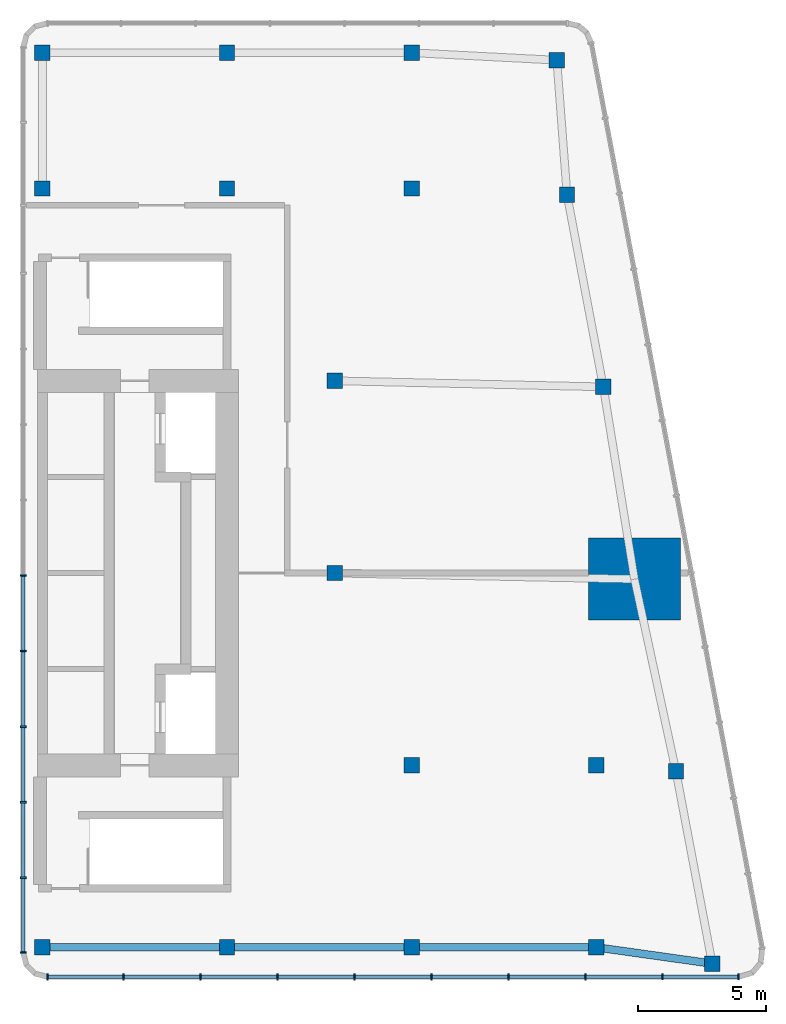
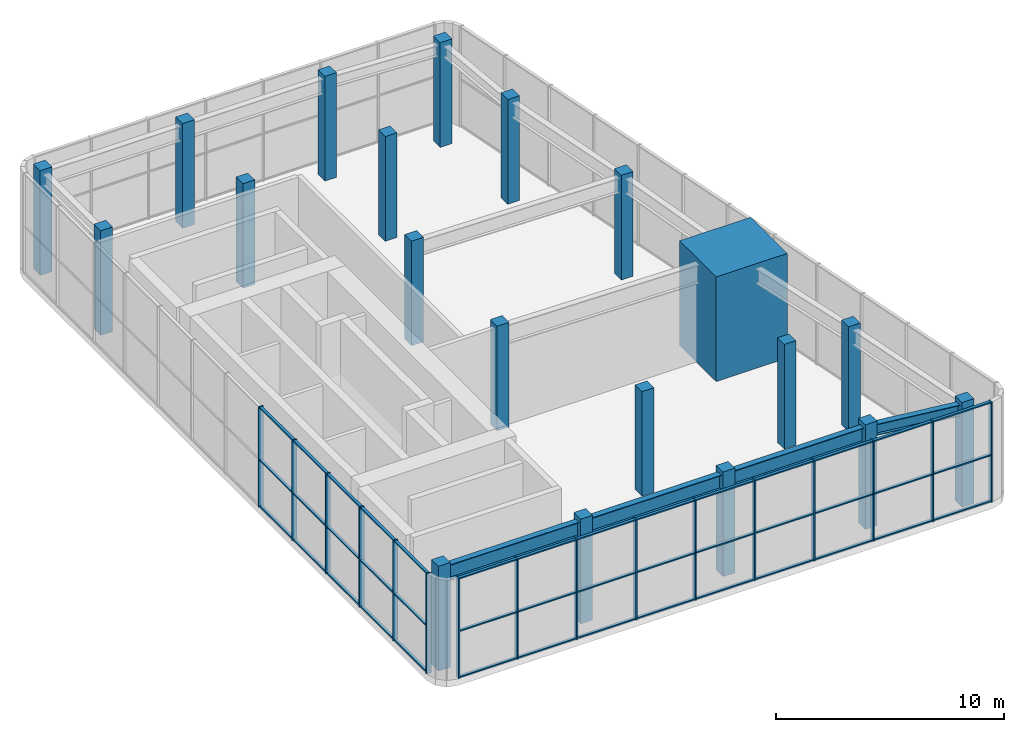
# One storey, part 1 of 6: 58 members, 20 columns, 4 beams, 2 elements without a shape of their own.
"""IFC4 building model written with IfcOpenShell, lengths in metres."""

from ifc_helpers import new_model, si_unit, direction, frame, origin, origin_2d, place, context, subcontext, project, spatial, rectangle, i_section, extrude, material, material_profile, profile_set, type_object, element, aggregate, save


model = new_model("IFC4")

# Units and contexts
model_context = context("Model", 3, precision=1e-05, world=origin(), true_north=direction((0.0, 1.0)))
body_context = subcontext(model_context, "Body", "Model", "MODEL_VIEW")
ifc_project = project(units=[si_unit("LENGTHUNIT", "METRE"), si_unit("AREAUNIT", "SQUARE_METRE"), si_unit("VOLUMEUNIT", "CUBIC_METRE"), si_unit("PLANEANGLEUNIT", "RADIAN"), si_unit("MASSUNIT", "GRAM", prefix="KILO")], contexts=[model_context])

# Site, building, storey
site_placement = place(None, origin())
site = spatial("IfcSite", under=ifc_project, at=site_placement, CompositionType="ELEMENT")
building_placement = place(site_placement, origin())
building = spatial("IfcBuilding", under=site, at=building_placement, Name="Sheger Commons Tower", CompositionType="ELEMENT")
storey_placement = place(building_placement, frame((0.0, 0.0, 301.60009765625)))
storey = spatial("IfcBuildingStorey", under=building, at=storey_placement, Name="L77", CompositionType="ELEMENT", Elevation=301.60009765625)

# Columns
ifc_material_1 = material(Name="Concrete C50/60", Category="concrete")
ifc_material_profile_1 = material_profile(ifc_material_1, rectangle(XDim=3.60009765625, YDim=3.199951171875, at=origin_2d()), Name="RC 3600x3200")
ifc_profile_set_1 = profile_set([ifc_material_profile_1], Name="Concrete C50/60")
column_type_1 = type_object("IfcColumnType", Name="COLUMN PIER RC 3600x3200", PredefinedType="COLUMN", material=ifc_profile_set_1)
column_placement = place(storey_placement, frame((44.697021484375, 22.262939453125, 0.0), z_axis=(0.0, 0.0, 1.0), x_axis=(1.0, 0.0, 0.0)))
element("IfcColumn", 1, at=column_placement, inside=storey, type_object=column_type_1, Name="Pier 7/D+E/D L77", PredefinedType="COLUMN", context=body_context, shape_type="SweptSolid", body=[
    extrude(rectangle(XDim=3.60009765625, YDim=3.199951171875, at=origin_2d()), origin(), (0.0, 0.0, 1.0), 5.599853515625),
])
ifc_material_2 = material(Name="Concrete C50/60", Category="concrete")
ifc_material_profile_2 = material_profile(ifc_material_2, rectangle(XDim=0.60009765625, YDim=0.60009765625, at=origin_2d()), Name="RC 600x600")
ifc_profile_set_2 = profile_set([ifc_material_profile_2], Name="Concrete C50/60")
column_type_2 = type_object("IfcColumnType", Name="COLUMN RC 600x600", PredefinedType="COLUMN", material=ifc_profile_set_2)
for number, where, z_axis, x_axis, name in (
    (2, (21.60009765625, 7.89990234375, 0.0), (0.0, 0.0, 1.0), (1.0, 0.0, 0.0), "Column 4/B L77"),
    (3, (28.800048828125, 7.89990234375, 0.0), (0.0, 0.0, 1.0), (1.0, 0.0, 0.0), "Column 5/B L77"),
    (4, (36.0, 7.89990234375, 0.0), (0.0, 0.0, 1.0), (1.0, 0.0, 0.0), "Column 6/B L77"),
    (5, (43.199951171875, 7.89990234375, 0.0), (0.0, 0.0, 1.0), (1.0, 0.0, 0.0), "Column 7/B L77"),
    (6, (47.72998046875, 7.262939453125, 0.0), (0.0, 0.0, 1.0), (1.0, 0.0, 0.0), "Column E/B L77"),
    (7, (36.0, 15.0, 0.0), (0.0, 0.0, 1.0), (1.0, 0.0, 0.0), "Column 6/C L77"),
    (8, (43.199951171875, 15.0, 0.0), (0.0, 0.0, 1.0), (1.0, 0.0, 0.0), "Column 7/C L77"),
    (9, (46.31396484375, 14.762939453125, 0.0), (0.0, 0.0, 1.0), (1.0, 0.0, 0.0), "Column E/C L77"),
    (10, (33.0, 22.5, 0.0), (0.0, 0.0, 1.0), (1.0, 0.0, 0.0), "Column 6-3000/D L77"),
    (11, (33.0, 30.0, 0.0), (0.0, 0.0, 1.0), (1.0, 0.0, 0.0), "Column 6-3000/E L77"),
    (12, (43.47998046875, 29.762939453125, 0.0), (0.0, 0.0, 1.0), (1.0, 0.0, 0.0), "Column E/E L77"),
    (13, (21.60009765625, 37.5, 0.0), (0.0, 0.0, 1.0), (1.0, 0.0, 0.0), "Column 4/F L77"),
    (14, (28.800048828125, 37.5, 0.0), (0.0, 0.0, 1.0), (1.0, 0.0, 0.0), "Column 5/F L77"),
    (15, (36.0, 37.5, 0.0), (0.0, 0.0, 1.0), (1.0, 0.0, 0.0), "Column 6/F L77"),
    (16, (42.06396484375, 37.262939453125, 0.0), (0.0, 0.0, 1.0), (1.0, 0.0, 0.0), "Column E/F L77"),
    (17, (21.60009765625, 42.800048828125, 0.0), (0.0, 0.0, 1.0), (1.0, 0.0, 0.0), "Column 4/G-1.8 L77"),
    (18, (28.800048828125, 42.800048828125, 0.0), (0.0, 0.0, 1.0), (1.0, 0.0, 0.0), "Column 5/G-1.8 L77"),
    (19, (36.0, 42.800048828125, 0.0), (0.0, 0.0, 1.0), (1.0, 0.0, 0.0), "Column 6/G-1.8 L77"),
    (20, (41.6669921875, 42.506103515625, 0.0), (0.0, 0.0, 1.0), (1.0, 0.0, 0.0), "Column E/G-1.8 L77"),
):
    element("IfcColumn", number, at=place(storey_placement, frame(where, z_axis=z_axis, x_axis=x_axis)), inside=storey, type_object=column_type_2, Name=name, PredefinedType="COLUMN", context=body_context, shape_type="SweptSolid", body=[
        extrude(rectangle(XDim=0.60009765625, YDim=0.60009765625, at=origin_2d()), origin(), (0.0, 0.0, 1.0), 5.599853515625),
    ])

# Curtain wall, members
ifc_material_3 = material(Name="Black aluminium curtain wall, dark tinted glazing", Category="aluminium")
curtain_wall_type = type_object("IfcCurtainWallType", Name="CURTAIN WALL CW6 LANTERN", PredefinedType="USERDEFINED", material=ifc_material_3)
curtain_wall_1_placement = place(storey_placement, origin())
curtain_wall_1 = element("IfcCurtainWall", 21, at=curtain_wall_1_placement, inside=storey, type_object=curtain_wall_type, Name="Curtain Wall Cw6 Lantern S1 L77", ObjectType="UNITISED CURTAIN WALL", PredefinedType="USERDEFINED")
ifc_material_4 = material(Name="Black anodised aluminium", Category="aluminium")
ifc_material_profile_3 = material_profile(ifc_material_4, rectangle(XDim=0.25, YDim=0.06494140625, at=origin_2d()), Name="AL 65x250")
ifc_profile_set_3 = profile_set([ifc_material_profile_3], Name="Black anodised aluminium")
member_type_1 = type_object("IfcMemberType", Name="MULLION AL 65x250", PredefinedType="MULLION", material=ifc_profile_set_3)
member_1_placement = place(storey_placement, frame((21.79541015625, 6.75, 0.0), z_axis=(0.0, 0.0, 1.0), x_axis=(0.0, 1.0, 0.0)))
member_1 = element("IfcMember", 22, at=member_1_placement, type_object=member_type_1, Name="CW6 mullion 1", PredefinedType="MULLION", context=body_context, shape_type="SweptSolid", body=[
    extrude(rectangle(XDim=0.25, YDim=0.06494140625, at=origin_2d()), origin(), (0.0, 0.0, 1.0), 5.349853515625),
])
member_2_placement = place(storey_placement, frame((24.765625, 6.75, 0.0), z_axis=(0.0, 0.0, 1.0), x_axis=(0.0, 1.0, 0.0)))
member_2 = element("IfcMember", 23, at=member_2_placement, type_object=member_type_1, Name="CW6 mullion 2", PredefinedType="MULLION", context=body_context, shape_type="SweptSolid", body=[
    extrude(rectangle(XDim=0.25, YDim=0.06494140625, at=origin_2d()), origin(), (0.0, 0.0, 1.0), 5.349853515625),
])
member_3_placement = place(storey_placement, frame((27.768310546875, 6.75, 0.0), z_axis=(0.0, 0.0, 1.0), x_axis=(0.0, 1.0, 0.0)))
member_3 = element("IfcMember", 24, at=member_3_placement, type_object=member_type_1, Name="CW6 mullion 3", PredefinedType="MULLION", context=body_context, shape_type="SweptSolid", body=[
    extrude(rectangle(XDim=0.25, YDim=0.06494140625, at=origin_2d()), origin(), (0.0, 0.0, 1.0), 5.349853515625),
])
member_4_placement = place(storey_placement, frame((30.77099609375, 6.75, 0.0), z_axis=(0.0, 0.0, 1.0), x_axis=(0.0, 1.0, 0.0)))
member_4 = element("IfcMember", 25, at=member_4_placement, type_object=member_type_1, Name="CW6 mullion 4", PredefinedType="MULLION", context=body_context, shape_type="SweptSolid", body=[
    extrude(rectangle(XDim=0.25, YDim=0.06494140625, at=origin_2d()), origin(), (0.0, 0.0, 1.0), 5.349853515625),
])
member_5_placement = place(storey_placement, frame((33.773681640625, 6.75, 0.0), z_axis=(0.0, 0.0, 1.0), x_axis=(0.0, 1.0, 0.0)))
member_5 = element("IfcMember", 26, at=member_5_placement, type_object=member_type_1, Name="CW6 mullion 5", PredefinedType="MULLION", context=body_context, shape_type="SweptSolid", body=[
    extrude(rectangle(XDim=0.25, YDim=0.06494140625, at=origin_2d()), origin(), (0.0, 0.0, 1.0), 5.349853515625),
])
member_6_placement = place(storey_placement, frame((36.7763671875, 6.75, 0.0), z_axis=(0.0, 0.0, 1.0), x_axis=(0.0, 1.0, 0.0)))
member_6 = element("IfcMember", 27, at=member_6_placement, type_object=member_type_1, Name="CW6 mullion 6", PredefinedType="MULLION", context=body_context, shape_type="SweptSolid", body=[
    extrude(rectangle(XDim=0.25, YDim=0.06494140625, at=origin_2d()), origin(), (0.0, 0.0, 1.0), 5.349853515625),
])
member_7_placement = place(storey_placement, frame((39.779052734375, 6.75, 0.0), z_axis=(0.0, 0.0, 1.0), x_axis=(0.0, 1.0, 0.0)))
member_7 = element("IfcMember", 28, at=member_7_placement, type_object=member_type_1, Name="CW6 mullion 7", PredefinedType="MULLION", context=body_context, shape_type="SweptSolid", body=[
    extrude(rectangle(XDim=0.25, YDim=0.06494140625, at=origin_2d()), origin(), (0.0, 0.0, 1.0), 5.349853515625),
])
member_8_placement = place(storey_placement, frame((42.78173828125, 6.75, 0.0), z_axis=(0.0, 0.0, 1.0), x_axis=(0.0, 1.0, 0.0)))
member_8 = element("IfcMember", 29, at=member_8_placement, type_object=member_type_1, Name="CW6 mullion 8", PredefinedType="MULLION", context=body_context, shape_type="SweptSolid", body=[
    extrude(rectangle(XDim=0.25, YDim=0.06494140625, at=origin_2d()), origin(), (0.0, 0.0, 1.0), 5.349853515625),
])
member_9_placement = place(storey_placement, frame((45.784423828125, 6.75, 0.0), z_axis=(0.0, 0.0, 1.0), x_axis=(0.0, 1.0, 0.0)))
member_9 = element("IfcMember", 30, at=member_9_placement, type_object=member_type_1, Name="CW6 mullion 9", PredefinedType="MULLION", context=body_context, shape_type="SweptSolid", body=[
    extrude(rectangle(XDim=0.25, YDim=0.06494140625, at=origin_2d()), origin(), (0.0, 0.0, 1.0), 5.349853515625),
])
member_10_placement = place(storey_placement, frame((48.75439453125, 6.75, 0.0), z_axis=(0.0, 0.0, 1.0), x_axis=(0.0, 1.0, 0.0)))
member_10 = element("IfcMember", 31, at=member_10_placement, type_object=member_type_1, Name="CW6 mullion 10", PredefinedType="MULLION", context=body_context, shape_type="SweptSolid", body=[
    extrude(rectangle(XDim=0.25, YDim=0.06494140625, at=origin_2d()), origin(), (0.0, 0.0, 1.0), 5.349853515625),
])

curtain_wall_2_placement = place(storey_placement, origin())
curtain_wall_2 = element("IfcCurtainWall", 32, at=curtain_wall_2_placement, inside=storey, type_object=curtain_wall_type, Name="Curtain Wall Cw6 Lantern W1 L77", ObjectType="UNITISED CURTAIN WALL", PredefinedType="USERDEFINED")
member_11_placement = place(storey_placement, frame((20.85009765625, 22.402099609375, 0.0), z_axis=(0.0, 0.0, 1.0), x_axis=(1.0, 0.0, 0.0)))
member_11 = element("IfcMember", 33, at=member_11_placement, type_object=member_type_1, Name="CW6 mullion 8", PredefinedType="MULLION", context=body_context, shape_type="SweptSolid", body=[
    extrude(rectangle(XDim=0.25, YDim=0.06494140625, at=origin_2d()), origin(), (0.0, 0.0, 1.0), 5.349853515625),
])
member_12_placement = place(storey_placement, frame((20.85009765625, 19.4541015625, 0.0), z_axis=(0.0, 0.0, 1.0), x_axis=(1.0, 0.0, 0.0)))
member_12 = element("IfcMember", 34, at=member_12_placement, type_object=member_type_1, Name="CW6 mullion 9", PredefinedType="MULLION", context=body_context, shape_type="SweptSolid", body=[
    extrude(rectangle(XDim=0.25, YDim=0.06494140625, at=origin_2d()), origin(), (0.0, 0.0, 1.0), 5.349853515625),
])
member_13_placement = place(storey_placement, frame((20.85009765625, 16.507080078125, 0.0), z_axis=(0.0, 0.0, 1.0), x_axis=(1.0, 0.0, 0.0)))
member_13 = element("IfcMember", 35, at=member_13_placement, type_object=member_type_1, Name="CW6 mullion 10", PredefinedType="MULLION", context=body_context, shape_type="SweptSolid", body=[
    extrude(rectangle(XDim=0.25, YDim=0.06494140625, at=origin_2d()), origin(), (0.0, 0.0, 1.0), 5.349853515625),
])
member_14_placement = place(storey_placement, frame((20.85009765625, 13.55908203125, 0.0), z_axis=(0.0, 0.0, 1.0), x_axis=(1.0, 0.0, 0.0)))
member_14 = element("IfcMember", 36, at=member_14_placement, type_object=member_type_1, Name="CW6 mullion 11", PredefinedType="MULLION", context=body_context, shape_type="SweptSolid", body=[
    extrude(rectangle(XDim=0.25, YDim=0.06494140625, at=origin_2d()), origin(), (0.0, 0.0, 1.0), 5.349853515625),
])
member_15_placement = place(storey_placement, frame((20.85009765625, 10.611083984375, 0.0), z_axis=(0.0, 0.0, 1.0), x_axis=(1.0, 0.0, 0.0)))
member_15 = element("IfcMember", 37, at=member_15_placement, type_object=member_type_1, Name="CW6 mullion 12", PredefinedType="MULLION", context=body_context, shape_type="SweptSolid", body=[
    extrude(rectangle(XDim=0.25, YDim=0.06494140625, at=origin_2d()), origin(), (0.0, 0.0, 1.0), 5.349853515625),
])
member_16_placement = place(storey_placement, frame((20.85009765625, 7.695556640625, 0.0), z_axis=(0.0, 0.0, 1.0), x_axis=(1.0, 0.0, 0.0)))
member_16 = element("IfcMember", 38, at=member_16_placement, type_object=member_type_1, Name="CW6 mullion 13", PredefinedType="MULLION", context=body_context, shape_type="SweptSolid", body=[
    extrude(rectangle(XDim=0.25, YDim=0.06494140625, at=origin_2d()), origin(), (0.0, 0.0, 1.0), 5.349853515625),
])

# Beams
ifc_material_5 = material(Name="Steel S460", Category="steel")
ifc_material_profile_4 = material_profile(ifc_material_5, i_section(OverallWidth=0.300048828125, OverallDepth=0.60009765625, WebThickness=0.015380859375, FlangeThickness=0.030029296875, at=origin_2d()), Name="HE 600 B")
ifc_profile_set_4 = profile_set([ifc_material_profile_4], Name="Steel S460")
beam_type_1 = type_object("IfcBeamType", Name="STEEL BEAM HE 600 B", PredefinedType="BEAM", material=ifc_profile_set_4)
beam_placement = place(storey_placement, frame((43.199951171875, 7.89990234375, 5.0498046875), z_axis=(0.990258763555, -0.139239294752, 0.0), x_axis=(0.139239294752, 0.990258763555, 0.0)))
element("IfcBeam", 39, at=beam_placement, inside=storey, type_object=beam_type_1, Name="Beam 7/B-E/B under ROOF", PredefinedType="BEAM", context=body_context, shape_type="SweptSolid", body=[
    extrude(i_section(OverallWidth=0.300048828125, OverallDepth=0.60009765625, WebThickness=0.015380859375, FlangeThickness=0.030029296875, at=origin_2d()), origin(), (0.0, 0.0, 1.0), 4.57470703125),
])
ifc_material_6 = material(Name="Steel S460", Category="steel")
ifc_material_profile_5 = material_profile(ifc_material_6, i_section(OverallWidth=0.300048828125, OverallDepth=0.800048828125, WebThickness=0.017578125, FlangeThickness=0.032958984375, at=origin_2d()), Name="HE 800 B")
ifc_profile_set_5 = profile_set([ifc_material_profile_5], Name="Steel S460")
beam_type_2 = type_object("IfcBeamType", Name="STEEL BEAM HE 800 B", PredefinedType="BEAM", material=ifc_profile_set_5)
for number, where, z_axis, x_axis, name in (
    (40, (21.60009765625, 7.89990234375, 4.949951171875), (1.0, 0.0, 0.0), (0.0, 1.0, 0.0), "Beam 4/B-5/B under ROOF"),
    (41, (28.800048828125, 7.89990234375, 4.949951171875), (1.0, 0.0, 0.0), (0.0, 1.0, 0.0), "Beam 5/B-6/B under ROOF"),
    (42, (36.0, 7.89990234375, 4.949951171875), (1.0, 0.0, 0.0), (0.0, 1.0, 0.0), "Beam 6/B-7/B under ROOF"),
):
    element("IfcBeam", number, at=place(storey_placement, frame(where, z_axis=z_axis, x_axis=x_axis)), inside=storey, type_object=beam_type_2, Name=name, PredefinedType="BEAM", context=body_context, shape_type="SweptSolid", body=[
        extrude(i_section(OverallWidth=0.300048828125, OverallDepth=0.800048828125, WebThickness=0.017578125, FlangeThickness=0.032958984375, at=origin_2d()), origin(), (0.0, 0.0, 1.0), 7.199951171875),
    ])

# Member
ifc_material_7 = material(Name="Black anodised aluminium", Category="aluminium")
ifc_material_profile_6 = material_profile(ifc_material_7, rectangle(XDim=0.14990234375, YDim=0.06494140625, at=origin_2d()), Name="AL 65x150")
ifc_profile_set_6 = profile_set([ifc_material_profile_6], Name="Black anodised aluminium")
member_type_2 = type_object("IfcMemberType", Name="TRANSOM AL 65x150", PredefinedType="USERDEFINED", material=ifc_profile_set_6)
member_17_placement = place(storey_placement, frame((21.827880859375, 6.75, 0.032470703125), z_axis=(1.0, 0.0, 0.0), x_axis=(0.0, 1.0, 0.0)))
member_17 = element("IfcMember", 43, at=member_17_placement, type_object=member_type_2, Name="CW6 transom 1.1", ObjectType="TRANSOM", PredefinedType="USERDEFINED", context=body_context, shape_type="SweptSolid", body=[
    extrude(rectangle(XDim=0.14990234375, YDim=0.06494140625, at=origin_2d()), origin(), (0.0, 0.0, 1.0), 2.9052734375),
])

member_18_placement = place(storey_placement, frame((21.827880859375, 6.75, 2.5), z_axis=(1.0, 0.0, 0.0), x_axis=(0.0, 1.0, 0.0)))
member_18 = element("IfcMember", 44, at=member_18_placement, type_object=member_type_2, Name="CW6 transom 1.2", ObjectType="TRANSOM", PredefinedType="USERDEFINED", context=body_context, shape_type="SweptSolid", body=[
    extrude(rectangle(XDim=0.14990234375, YDim=0.06494140625, at=origin_2d()), origin(), (0.0, 0.0, 1.0), 2.9052734375),
])

member_19_placement = place(storey_placement, frame((21.827880859375, 6.75, 5.3173828125), z_axis=(1.0, 0.0, 0.0), x_axis=(0.0, 1.0, 0.0)))
member_19 = element("IfcMember", 45, at=member_19_placement, type_object=member_type_2, Name="CW6 transom 1.3", ObjectType="TRANSOM", PredefinedType="USERDEFINED", context=body_context, shape_type="SweptSolid", body=[
    extrude(rectangle(XDim=0.14990234375, YDim=0.06494140625, at=origin_2d()), origin(), (0.0, 0.0, 1.0), 2.9052734375),
])

member_20_placement = place(storey_placement, frame((24.798095703125, 6.75, 0.032470703125), z_axis=(1.0, 0.0, 0.0), x_axis=(0.0, 1.0, 0.0)))
member_20 = element("IfcMember", 46, at=member_20_placement, type_object=member_type_2, Name="CW6 transom 2.1", ObjectType="TRANSOM", PredefinedType="USERDEFINED", context=body_context, shape_type="SweptSolid", body=[
    extrude(rectangle(XDim=0.14990234375, YDim=0.06494140625, at=origin_2d()), origin(), (0.0, 0.0, 1.0), 2.937744140625),
])

member_21_placement = place(storey_placement, frame((24.798095703125, 6.75, 2.5), z_axis=(1.0, 0.0, 0.0), x_axis=(0.0, 1.0, 0.0)))
member_21 = element("IfcMember", 47, at=member_21_placement, type_object=member_type_2, Name="CW6 transom 2.2", ObjectType="TRANSOM", PredefinedType="USERDEFINED", context=body_context, shape_type="SweptSolid", body=[
    extrude(rectangle(XDim=0.14990234375, YDim=0.06494140625, at=origin_2d()), origin(), (0.0, 0.0, 1.0), 2.937744140625),
])

member_22_placement = place(storey_placement, frame((24.798095703125, 6.75, 5.3173828125), z_axis=(1.0, 0.0, 0.0), x_axis=(0.0, 1.0, 0.0)))
member_22 = element("IfcMember", 48, at=member_22_placement, type_object=member_type_2, Name="CW6 transom 2.3", ObjectType="TRANSOM", PredefinedType="USERDEFINED", context=body_context, shape_type="SweptSolid", body=[
    extrude(rectangle(XDim=0.14990234375, YDim=0.06494140625, at=origin_2d()), origin(), (0.0, 0.0, 1.0), 2.937744140625),
])

member_23_placement = place(storey_placement, frame((27.80078125, 6.75, 0.032470703125), z_axis=(1.0, 0.0, 0.0), x_axis=(0.0, 1.0, 0.0)))
member_23 = element("IfcMember", 49, at=member_23_placement, type_object=member_type_2, Name="CW6 transom 3.1", ObjectType="TRANSOM", PredefinedType="USERDEFINED", context=body_context, shape_type="SweptSolid", body=[
    extrude(rectangle(XDim=0.14990234375, YDim=0.06494140625, at=origin_2d()), origin(), (0.0, 0.0, 1.0), 2.937744140625),
])

member_24_placement = place(storey_placement, frame((27.80078125, 6.75, 2.5), z_axis=(1.0, 0.0, 0.0), x_axis=(0.0, 1.0, 0.0)))
member_24 = element("IfcMember", 50, at=member_24_placement, type_object=member_type_2, Name="CW6 transom 3.2", ObjectType="TRANSOM", PredefinedType="USERDEFINED", context=body_context, shape_type="SweptSolid", body=[
    extrude(rectangle(XDim=0.14990234375, YDim=0.06494140625, at=origin_2d()), origin(), (0.0, 0.0, 1.0), 2.937744140625),
])

member_25_placement = place(storey_placement, frame((27.80078125, 6.75, 5.3173828125), z_axis=(1.0, 0.0, 0.0), x_axis=(0.0, 1.0, 0.0)))
member_25 = element("IfcMember", 51, at=member_25_placement, type_object=member_type_2, Name="CW6 transom 3.3", ObjectType="TRANSOM", PredefinedType="USERDEFINED", context=body_context, shape_type="SweptSolid", body=[
    extrude(rectangle(XDim=0.14990234375, YDim=0.06494140625, at=origin_2d()), origin(), (0.0, 0.0, 1.0), 2.937744140625),
])

member_26_placement = place(storey_placement, frame((30.803466796875, 6.75, 0.032470703125), z_axis=(1.0, 0.0, 0.0), x_axis=(0.0, 1.0, 0.0)))
member_26 = element("IfcMember", 52, at=member_26_placement, type_object=member_type_2, Name="CW6 transom 4.1", ObjectType="TRANSOM", PredefinedType="USERDEFINED", context=body_context, shape_type="SweptSolid", body=[
    extrude(rectangle(XDim=0.14990234375, YDim=0.06494140625, at=origin_2d()), origin(), (0.0, 0.0, 1.0), 2.937744140625),
])

member_27_placement = place(storey_placement, frame((30.803466796875, 6.75, 2.5), z_axis=(1.0, 0.0, 0.0), x_axis=(0.0, 1.0, 0.0)))
member_27 = element("IfcMember", 53, at=member_27_placement, type_object=member_type_2, Name="CW6 transom 4.2", ObjectType="TRANSOM", PredefinedType="USERDEFINED", context=body_context, shape_type="SweptSolid", body=[
    extrude(rectangle(XDim=0.14990234375, YDim=0.06494140625, at=origin_2d()), origin(), (0.0, 0.0, 1.0), 2.937744140625),
])

member_28_placement = place(storey_placement, frame((30.803466796875, 6.75, 5.3173828125), z_axis=(1.0, 0.0, 0.0), x_axis=(0.0, 1.0, 0.0)))
member_28 = element("IfcMember", 54, at=member_28_placement, type_object=member_type_2, Name="CW6 transom 4.3", ObjectType="TRANSOM", PredefinedType="USERDEFINED", context=body_context, shape_type="SweptSolid", body=[
    extrude(rectangle(XDim=0.14990234375, YDim=0.06494140625, at=origin_2d()), origin(), (0.0, 0.0, 1.0), 2.937744140625),
])

member_29_placement = place(storey_placement, frame((33.80615234375, 6.75, 0.032470703125), z_axis=(1.0, 0.0, 0.0), x_axis=(0.0, 1.0, 0.0)))
member_29 = element("IfcMember", 55, at=member_29_placement, type_object=member_type_2, Name="CW6 transom 5.1", ObjectType="TRANSOM", PredefinedType="USERDEFINED", context=body_context, shape_type="SweptSolid", body=[
    extrude(rectangle(XDim=0.14990234375, YDim=0.06494140625, at=origin_2d()), origin(), (0.0, 0.0, 1.0), 2.937744140625),
])

member_30_placement = place(storey_placement, frame((33.80615234375, 6.75, 2.5), z_axis=(1.0, 0.0, 0.0), x_axis=(0.0, 1.0, 0.0)))
member_30 = element("IfcMember", 56, at=member_30_placement, type_object=member_type_2, Name="CW6 transom 5.2", ObjectType="TRANSOM", PredefinedType="USERDEFINED", context=body_context, shape_type="SweptSolid", body=[
    extrude(rectangle(XDim=0.14990234375, YDim=0.06494140625, at=origin_2d()), origin(), (0.0, 0.0, 1.0), 2.937744140625),
])

member_31_placement = place(storey_placement, frame((33.80615234375, 6.75, 5.3173828125), z_axis=(1.0, 0.0, 0.0), x_axis=(0.0, 1.0, 0.0)))
member_31 = element("IfcMember", 57, at=member_31_placement, type_object=member_type_2, Name="CW6 transom 5.3", ObjectType="TRANSOM", PredefinedType="USERDEFINED", context=body_context, shape_type="SweptSolid", body=[
    extrude(rectangle(XDim=0.14990234375, YDim=0.06494140625, at=origin_2d()), origin(), (0.0, 0.0, 1.0), 2.937744140625),
])

member_32_placement = place(storey_placement, frame((36.808837890625, 6.75, 0.032470703125), z_axis=(1.0, 0.0, 0.0), x_axis=(0.0, 1.0, 0.0)))
member_32 = element("IfcMember", 58, at=member_32_placement, type_object=member_type_2, Name="CW6 transom 6.1", ObjectType="TRANSOM", PredefinedType="USERDEFINED", context=body_context, shape_type="SweptSolid", body=[
    extrude(rectangle(XDim=0.14990234375, YDim=0.06494140625, at=origin_2d()), origin(), (0.0, 0.0, 1.0), 2.937744140625),
])

member_33_placement = place(storey_placement, frame((36.808837890625, 6.75, 2.5), z_axis=(1.0, 0.0, 0.0), x_axis=(0.0, 1.0, 0.0)))
member_33 = element("IfcMember", 59, at=member_33_placement, type_object=member_type_2, Name="CW6 transom 6.2", ObjectType="TRANSOM", PredefinedType="USERDEFINED", context=body_context, shape_type="SweptSolid", body=[
    extrude(rectangle(XDim=0.14990234375, YDim=0.06494140625, at=origin_2d()), origin(), (0.0, 0.0, 1.0), 2.937744140625),
])

member_34_placement = place(storey_placement, frame((36.808837890625, 6.75, 5.3173828125), z_axis=(1.0, 0.0, 0.0), x_axis=(0.0, 1.0, 0.0)))
member_34 = element("IfcMember", 60, at=member_34_placement, type_object=member_type_2, Name="CW6 transom 6.3", ObjectType="TRANSOM", PredefinedType="USERDEFINED", context=body_context, shape_type="SweptSolid", body=[
    extrude(rectangle(XDim=0.14990234375, YDim=0.06494140625, at=origin_2d()), origin(), (0.0, 0.0, 1.0), 2.937744140625),
])

member_35_placement = place(storey_placement, frame((39.8115234375, 6.75, 0.032470703125), z_axis=(1.0, 0.0, 0.0), x_axis=(0.0, 1.0, 0.0)))
member_35 = element("IfcMember", 61, at=member_35_placement, type_object=member_type_2, Name="CW6 transom 7.1", ObjectType="TRANSOM", PredefinedType="USERDEFINED", context=body_context, shape_type="SweptSolid", body=[
    extrude(rectangle(XDim=0.14990234375, YDim=0.06494140625, at=origin_2d()), origin(), (0.0, 0.0, 1.0), 2.937744140625),
])

member_36_placement = place(storey_placement, frame((39.8115234375, 6.75, 2.5), z_axis=(1.0, 0.0, 0.0), x_axis=(0.0, 1.0, 0.0)))
member_36 = element("IfcMember", 62, at=member_36_placement, type_object=member_type_2, Name="CW6 transom 7.2", ObjectType="TRANSOM", PredefinedType="USERDEFINED", context=body_context, shape_type="SweptSolid", body=[
    extrude(rectangle(XDim=0.14990234375, YDim=0.06494140625, at=origin_2d()), origin(), (0.0, 0.0, 1.0), 2.937744140625),
])

member_37_placement = place(storey_placement, frame((39.8115234375, 6.75, 5.3173828125), z_axis=(1.0, 0.0, 0.0), x_axis=(0.0, 1.0, 0.0)))
member_37 = element("IfcMember", 63, at=member_37_placement, type_object=member_type_2, Name="CW6 transom 7.3", ObjectType="TRANSOM", PredefinedType="USERDEFINED", context=body_context, shape_type="SweptSolid", body=[
    extrude(rectangle(XDim=0.14990234375, YDim=0.06494140625, at=origin_2d()), origin(), (0.0, 0.0, 1.0), 2.937744140625),
])

member_38_placement = place(storey_placement, frame((42.814208984375, 6.75, 0.032470703125), z_axis=(1.0, 0.0, 0.0), x_axis=(0.0, 1.0, 0.0)))
member_38 = element("IfcMember", 64, at=member_38_placement, type_object=member_type_2, Name="CW6 transom 8.1", ObjectType="TRANSOM", PredefinedType="USERDEFINED", context=body_context, shape_type="SweptSolid", body=[
    extrude(rectangle(XDim=0.14990234375, YDim=0.06494140625, at=origin_2d()), origin(), (0.0, 0.0, 1.0), 2.937744140625),
])

member_39_placement = place(storey_placement, frame((42.814208984375, 6.75, 2.5), z_axis=(1.0, 0.0, 0.0), x_axis=(0.0, 1.0, 0.0)))
member_39 = element("IfcMember", 65, at=member_39_placement, type_object=member_type_2, Name="CW6 transom 8.2", ObjectType="TRANSOM", PredefinedType="USERDEFINED", context=body_context, shape_type="SweptSolid", body=[
    extrude(rectangle(XDim=0.14990234375, YDim=0.06494140625, at=origin_2d()), origin(), (0.0, 0.0, 1.0), 2.937744140625),
])

member_40_placement = place(storey_placement, frame((42.814208984375, 6.75, 5.3173828125), z_axis=(1.0, 0.0, 0.0), x_axis=(0.0, 1.0, 0.0)))
member_40 = element("IfcMember", 66, at=member_40_placement, type_object=member_type_2, Name="CW6 transom 8.3", ObjectType="TRANSOM", PredefinedType="USERDEFINED", context=body_context, shape_type="SweptSolid", body=[
    extrude(rectangle(XDim=0.14990234375, YDim=0.06494140625, at=origin_2d()), origin(), (0.0, 0.0, 1.0), 2.937744140625),
])

member_41_placement = place(storey_placement, frame((45.81689453125, 6.75, 0.032470703125), z_axis=(1.0, 0.0, 0.0), x_axis=(0.0, 1.0, 0.0)))
member_41 = element("IfcMember", 67, at=member_41_placement, type_object=member_type_2, Name="CW6 transom 9.1", ObjectType="TRANSOM", PredefinedType="USERDEFINED", context=body_context, shape_type="SweptSolid", body=[
    extrude(rectangle(XDim=0.14990234375, YDim=0.06494140625, at=origin_2d()), origin(), (0.0, 0.0, 1.0), 2.905029296875),
])

member_42_placement = place(storey_placement, frame((45.81689453125, 6.75, 2.5), z_axis=(1.0, 0.0, 0.0), x_axis=(0.0, 1.0, 0.0)))
member_42 = element("IfcMember", 68, at=member_42_placement, type_object=member_type_2, Name="CW6 transom 9.2", ObjectType="TRANSOM", PredefinedType="USERDEFINED", context=body_context, shape_type="SweptSolid", body=[
    extrude(rectangle(XDim=0.14990234375, YDim=0.06494140625, at=origin_2d()), origin(), (0.0, 0.0, 1.0), 2.905029296875),
])

member_43_placement = place(storey_placement, frame((45.81689453125, 6.75, 5.3173828125), z_axis=(1.0, 0.0, 0.0), x_axis=(0.0, 1.0, 0.0)))
member_43 = element("IfcMember", 69, at=member_43_placement, type_object=member_type_2, Name="CW6 transom 9.3", ObjectType="TRANSOM", PredefinedType="USERDEFINED", context=body_context, shape_type="SweptSolid", body=[
    extrude(rectangle(XDim=0.14990234375, YDim=0.06494140625, at=origin_2d()), origin(), (0.0, 0.0, 1.0), 2.905029296875),
])

aggregate(curtain_wall_1, [member_1, member_2, member_3, member_4, member_5, member_6, member_7, member_8, member_9, member_10, member_17, member_18, member_19, member_20, member_21, member_22, member_23, member_24, member_25, member_26, member_27, member_28, member_29, member_30, member_31, member_32, member_33, member_34, member_35, member_36, member_37, member_38, member_39, member_40, member_41, member_42, member_43])

member_44_placement = place(storey_placement, frame((20.85009765625, 22.369384765625, 0.032470703125), z_axis=(0.0, -1.0, 0.0), x_axis=(1.0, 0.0, 0.0)))
member_44 = element("IfcMember", 70, at=member_44_placement, type_object=member_type_2, Name="CW6 transom 8.1", ObjectType="TRANSOM", PredefinedType="USERDEFINED", context=body_context, shape_type="SweptSolid", body=[
    extrude(rectangle(XDim=0.14990234375, YDim=0.06494140625, at=origin_2d()), origin(), (0.0, 0.0, 1.0), 2.8828125),
])

member_45_placement = place(storey_placement, frame((20.85009765625, 22.369384765625, 2.5), z_axis=(0.0, -1.0, 0.0), x_axis=(1.0, 0.0, 0.0)))
member_45 = element("IfcMember", 71, at=member_45_placement, type_object=member_type_2, Name="CW6 transom 8.2", ObjectType="TRANSOM", PredefinedType="USERDEFINED", context=body_context, shape_type="SweptSolid", body=[
    extrude(rectangle(XDim=0.14990234375, YDim=0.06494140625, at=origin_2d()), origin(), (0.0, 0.0, 1.0), 2.8828125),
])

member_46_placement = place(storey_placement, frame((20.85009765625, 22.369384765625, 5.3173828125), z_axis=(0.0, -1.0, 0.0), x_axis=(1.0, 0.0, 0.0)))
member_46 = element("IfcMember", 72, at=member_46_placement, type_object=member_type_2, Name="CW6 transom 8.3", ObjectType="TRANSOM", PredefinedType="USERDEFINED", context=body_context, shape_type="SweptSolid", body=[
    extrude(rectangle(XDim=0.14990234375, YDim=0.06494140625, at=origin_2d()), origin(), (0.0, 0.0, 1.0), 2.8828125),
])

member_47_placement = place(storey_placement, frame((20.85009765625, 19.42138671875, 0.032470703125), z_axis=(0.0, -1.0, 0.0), x_axis=(1.0, 0.0, 0.0)))
member_47 = element("IfcMember", 73, at=member_47_placement, type_object=member_type_2, Name="CW6 transom 9.1", ObjectType="TRANSOM", PredefinedType="USERDEFINED", context=body_context, shape_type="SweptSolid", body=[
    extrude(rectangle(XDim=0.14990234375, YDim=0.06494140625, at=origin_2d()), origin(), (0.0, 0.0, 1.0), 2.8818359375),
])

member_48_placement = place(storey_placement, frame((20.85009765625, 19.42138671875, 2.5), z_axis=(0.0, -1.0, 0.0), x_axis=(1.0, 0.0, 0.0)))
member_48 = element("IfcMember", 74, at=member_48_placement, type_object=member_type_2, Name="CW6 transom 9.2", ObjectType="TRANSOM", PredefinedType="USERDEFINED", context=body_context, shape_type="SweptSolid", body=[
    extrude(rectangle(XDim=0.14990234375, YDim=0.06494140625, at=origin_2d()), origin(), (0.0, 0.0, 1.0), 2.8818359375),
])

member_49_placement = place(storey_placement, frame((20.85009765625, 19.42138671875, 5.3173828125), z_axis=(0.0, -1.0, 0.0), x_axis=(1.0, 0.0, 0.0)))
member_49 = element("IfcMember", 75, at=member_49_placement, type_object=member_type_2, Name="CW6 transom 9.3", ObjectType="TRANSOM", PredefinedType="USERDEFINED", context=body_context, shape_type="SweptSolid", body=[
    extrude(rectangle(XDim=0.14990234375, YDim=0.06494140625, at=origin_2d()), origin(), (0.0, 0.0, 1.0), 2.8818359375),
])

member_50_placement = place(storey_placement, frame((20.85009765625, 16.474609375, 0.032470703125), z_axis=(0.0, -1.0, 0.0), x_axis=(1.0, 0.0, 0.0)))
member_50 = element("IfcMember", 76, at=member_50_placement, type_object=member_type_2, Name="CW6 transom 10.1", ObjectType="TRANSOM", PredefinedType="USERDEFINED", context=body_context, shape_type="SweptSolid", body=[
    extrude(rectangle(XDim=0.14990234375, YDim=0.06494140625, at=origin_2d()), origin(), (0.0, 0.0, 1.0), 2.883056640625),
])

member_51_placement = place(storey_placement, frame((20.85009765625, 16.474609375, 2.5), z_axis=(0.0, -1.0, 0.0), x_axis=(1.0, 0.0, 0.0)))
member_51 = element("IfcMember", 77, at=member_51_placement, type_object=member_type_2, Name="CW6 transom 10.2", ObjectType="TRANSOM", PredefinedType="USERDEFINED", context=body_context, shape_type="SweptSolid", body=[
    extrude(rectangle(XDim=0.14990234375, YDim=0.06494140625, at=origin_2d()), origin(), (0.0, 0.0, 1.0), 2.883056640625),
])

member_52_placement = place(storey_placement, frame((20.85009765625, 16.474609375, 5.3173828125), z_axis=(0.0, -1.0, 0.0), x_axis=(1.0, 0.0, 0.0)))
member_52 = element("IfcMember", 78, at=member_52_placement, type_object=member_type_2, Name="CW6 transom 10.3", ObjectType="TRANSOM", PredefinedType="USERDEFINED", context=body_context, shape_type="SweptSolid", body=[
    extrude(rectangle(XDim=0.14990234375, YDim=0.06494140625, at=origin_2d()), origin(), (0.0, 0.0, 1.0), 2.883056640625),
])

member_53_placement = place(storey_placement, frame((20.85009765625, 13.526611328125, 0.032470703125), z_axis=(0.0, -1.0, 0.0), x_axis=(1.0, 0.0, 0.0)))
member_53 = element("IfcMember", 79, at=member_53_placement, type_object=member_type_2, Name="CW6 transom 11.1", ObjectType="TRANSOM", PredefinedType="USERDEFINED", context=body_context, shape_type="SweptSolid", body=[
    extrude(rectangle(XDim=0.14990234375, YDim=0.06494140625, at=origin_2d()), origin(), (0.0, 0.0, 1.0), 2.883056640625),
])

member_54_placement = place(storey_placement, frame((20.85009765625, 13.526611328125, 2.5), z_axis=(0.0, -1.0, 0.0), x_axis=(1.0, 0.0, 0.0)))
member_54 = element("IfcMember", 80, at=member_54_placement, type_object=member_type_2, Name="CW6 transom 11.2", ObjectType="TRANSOM", PredefinedType="USERDEFINED", context=body_context, shape_type="SweptSolid", body=[
    extrude(rectangle(XDim=0.14990234375, YDim=0.06494140625, at=origin_2d()), origin(), (0.0, 0.0, 1.0), 2.883056640625),
])

member_55_placement = place(storey_placement, frame((20.85009765625, 13.526611328125, 5.3173828125), z_axis=(0.0, -1.0, 0.0), x_axis=(1.0, 0.0, 0.0)))
member_55 = element("IfcMember", 81, at=member_55_placement, type_object=member_type_2, Name="CW6 transom 11.3", ObjectType="TRANSOM", PredefinedType="USERDEFINED", context=body_context, shape_type="SweptSolid", body=[
    extrude(rectangle(XDim=0.14990234375, YDim=0.06494140625, at=origin_2d()), origin(), (0.0, 0.0, 1.0), 2.883056640625),
])

member_56_placement = place(storey_placement, frame((20.85009765625, 10.57861328125, 0.032470703125), z_axis=(0.0, -1.0, 0.0), x_axis=(1.0, 0.0, 0.0)))
member_56 = element("IfcMember", 82, at=member_56_placement, type_object=member_type_2, Name="CW6 transom 12.1", ObjectType="TRANSOM", PredefinedType="USERDEFINED", context=body_context, shape_type="SweptSolid", body=[
    extrude(rectangle(XDim=0.14990234375, YDim=0.06494140625, at=origin_2d()), origin(), (0.0, 0.0, 1.0), 2.8505859375),
])

member_57_placement = place(storey_placement, frame((20.85009765625, 10.57861328125, 2.5), z_axis=(0.0, -1.0, 0.0), x_axis=(1.0, 0.0, 0.0)))
member_57 = element("IfcMember", 83, at=member_57_placement, type_object=member_type_2, Name="CW6 transom 12.2", ObjectType="TRANSOM", PredefinedType="USERDEFINED", context=body_context, shape_type="SweptSolid", body=[
    extrude(rectangle(XDim=0.14990234375, YDim=0.06494140625, at=origin_2d()), origin(), (0.0, 0.0, 1.0), 2.8505859375),
])

member_58_placement = place(storey_placement, frame((20.85009765625, 10.57861328125, 5.3173828125), z_axis=(0.0, -1.0, 0.0), x_axis=(1.0, 0.0, 0.0)))
member_58 = element("IfcMember", 84, at=member_58_placement, type_object=member_type_2, Name="CW6 transom 12.3", ObjectType="TRANSOM", PredefinedType="USERDEFINED", context=body_context, shape_type="SweptSolid", body=[
    extrude(rectangle(XDim=0.14990234375, YDim=0.06494140625, at=origin_2d()), origin(), (0.0, 0.0, 1.0), 2.8505859375),
])

aggregate(curtain_wall_2, [member_11, member_12, member_13, member_14, member_15, member_16, member_44, member_45, member_46, member_47, member_48, member_49, member_50, member_51, member_52, member_53, member_54, member_55, member_56, member_57, member_58])

save(model, "model.ifc")
